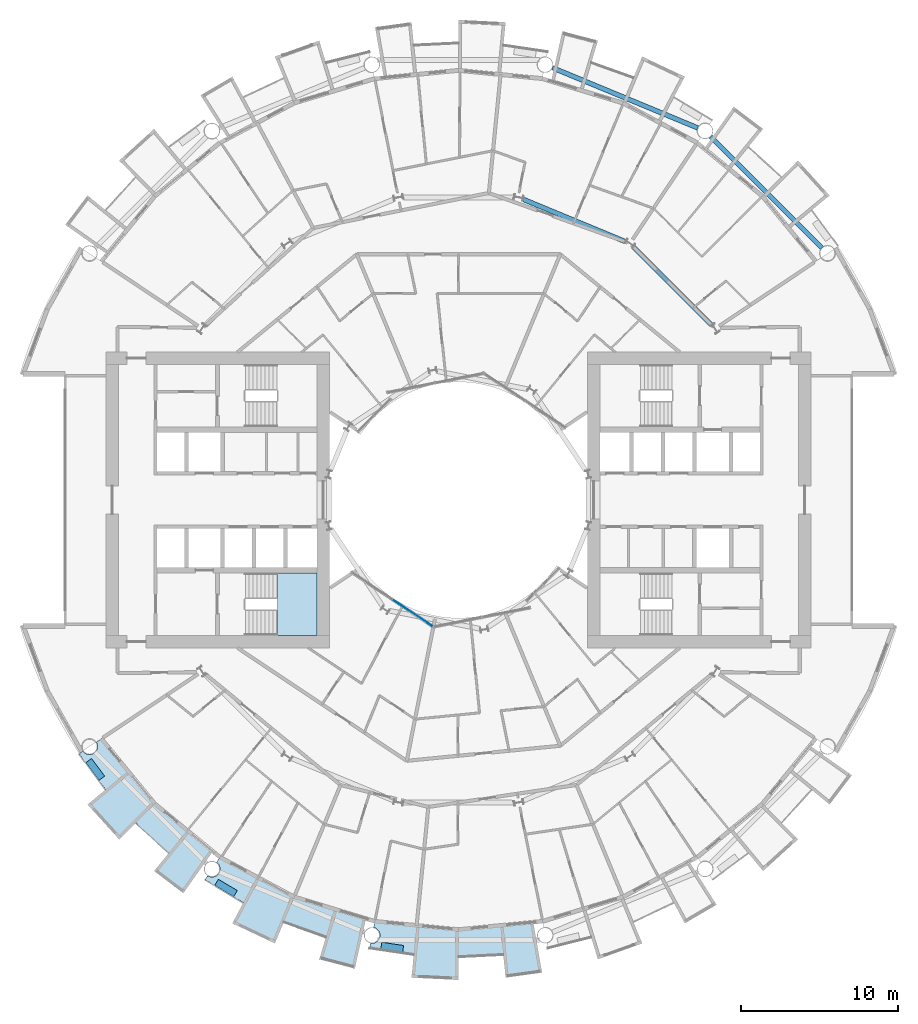
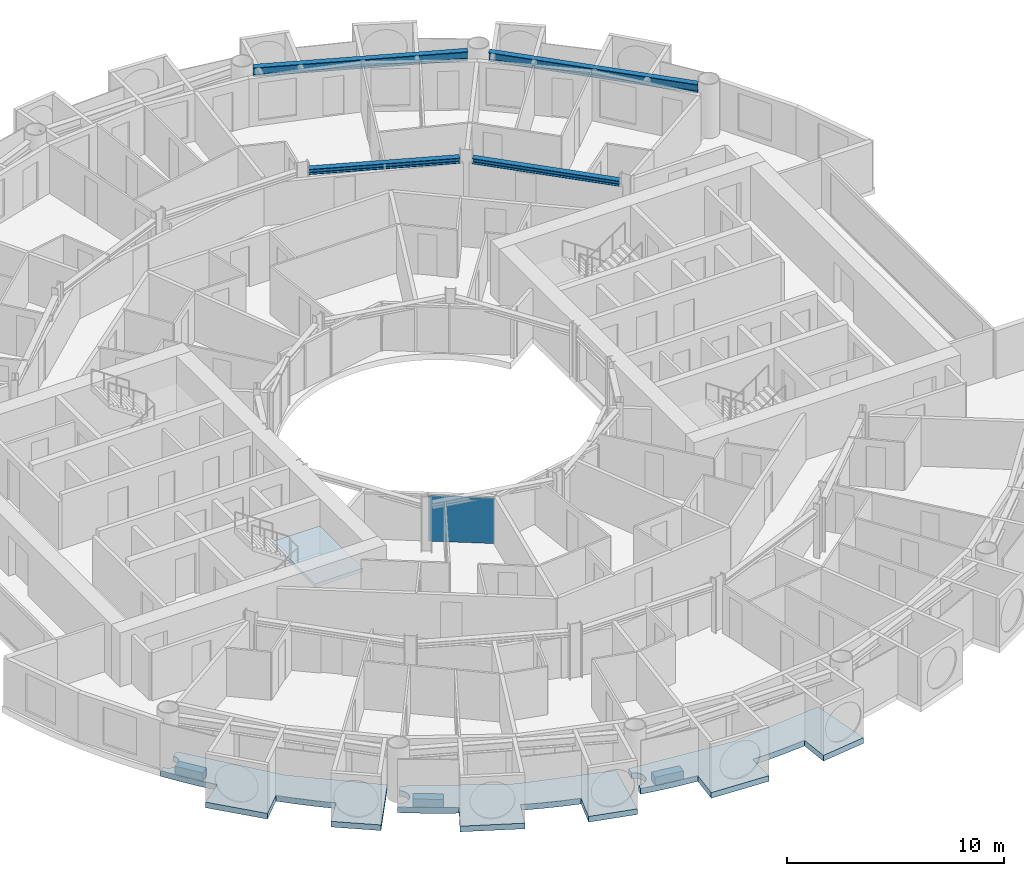
# One storey, part 9 of 26: 7 slabs, 4 beams, 1 plate, 2 elements without a shape of their own.
"""IFC4 building model written with IfcOpenShell, lengths in metres."""

from ifc_helpers import new_model, si_unit, direction, frame, origin, origin_2d, place, context, subcontext, project, spatial, polyline, rectangle, i_section, outline, extrude, material, layer, layer_set, material_profile, profile_set, type_object, element, aggregate, save


model = new_model("IFC4")

# Units and contexts
model_context = context("Model", 3, precision=1e-05, world=origin(), true_north=direction((0.0, 1.0)))
body_context = subcontext(model_context, "Body", "Model", "MODEL_VIEW")
ifc_project = project(units=[si_unit("LENGTHUNIT", "METRE"), si_unit("AREAUNIT", "SQUARE_METRE"), si_unit("VOLUMEUNIT", "CUBIC_METRE"), si_unit("PLANEANGLEUNIT", "RADIAN"), si_unit("MASSUNIT", "GRAM", prefix="KILO")], contexts=[model_context])

# Site, building, storey
site_placement = place(None, origin())
site = spatial("IfcSite", under=ifc_project, at=site_placement, CompositionType="ELEMENT")
building_placement = place(site_placement, origin())
building = spatial("IfcBuilding", under=site, at=building_placement, Name="Maasbend Ring Residences", CompositionType="ELEMENT")
storey_placement = place(building_placement, frame((0.0, 0.0, 38.050048828125)))
storey = spatial("IfcBuildingStorey", under=building, at=storey_placement, Name="L10", CompositionType="ELEMENT", Elevation=38.050048828125)

# Beams
ifc_material_1 = material(Name="Steel S355J2", Category="steel")
ifc_material_profile_1 = material_profile(ifc_material_1, i_section(OverallWidth=0.300048828125, OverallDepth=0.300048828125, WebThickness=0.010986328125, FlangeThickness=0.01904296875, FilletRadius=0.027099609375, at=origin_2d()), Name="HEB 300")
ifc_profile_set_1 = profile_set([ifc_material_profile_1], Name="Steel S355J2")
beam_type_1 = type_object("IfcBeamType", Name="Corridor ring beam HEB 300", PredefinedType="BEAM", material=ifc_profile_set_1)
beam_1_placement = place(storey_placement, frame((16.0732421875, 11.11279296875, 2.550048828125), z_axis=(-0.707106781187, 0.707106781187, 0.0), x_axis=(-0.707106781187, -0.707106781187, 0.0)))
element("IfcBeam", 1, at=beam_1_placement, inside=storey, type_object=beam_type_1, Name="Corridor ring beam", PredefinedType="BEAM", context=body_context, shape_type="SweptSolid", body=[
    extrude(i_section(OverallWidth=0.300048828125, OverallDepth=0.300048828125, WebThickness=0.010986328125, FlangeThickness=0.01904296875, FilletRadius=0.027099609375, at=origin_2d()), origin(), (0.0, 0.0, 1.0), 7.01513671875),
])
beam_2_placement = place(storey_placement, frame((10.59716796875, 16.417724609375, 2.550048828125), z_axis=(-0.923886196809, 0.38266734293, 0.0), x_axis=(-0.38266734293, -0.923886196809, 0.0)))
element("IfcBeam", 2, at=beam_2_placement, inside=storey, type_object=beam_type_1, Name="Corridor ring beam", PredefinedType="BEAM", context=body_context, shape_type="SweptSolid", body=[
    extrude(i_section(OverallWidth=0.300048828125, OverallDepth=0.300048828125, WebThickness=0.010986328125, FlangeThickness=0.01904296875, FilletRadius=0.027099609375, at=origin_2d()), origin(), (0.0, 0.0, 1.0), 7.015380859375),
])
ifc_material_2 = material(Name="Steel S355J2", Category="steel")
ifc_material_profile_2 = material_profile(ifc_material_2, i_section(OverallWidth=0.300048828125, OverallDepth=0.5, WebThickness=0.014404296875, FlangeThickness=0.028076171875, FilletRadius=0.027099609375, at=origin_2d()), Name="HEB 500")
ifc_profile_set_2 = profile_set([ifc_material_profile_2], Name="Steel S355J2")
beam_type_2 = type_object("IfcBeamType", Name="Spandrel ring beam HEB 500", PredefinedType="SPANDREL", material=ifc_profile_set_2)
beam_3_placement = place(storey_placement, frame((23.088134765625, 16.0263671875, 2.449951171875), z_axis=(-0.707106781187, 0.707106781187, 0.0), x_axis=(-0.707106781187, -0.707106781187, 0.0)))
element("IfcBeam", 3, at=beam_3_placement, inside=storey, type_object=beam_type_2, Name="Spandrel ring beam", PredefinedType="SPANDREL", context=body_context, shape_type="SweptSolid", body=[
    extrude(i_section(OverallWidth=0.300048828125, OverallDepth=0.5, WebThickness=0.014404296875, FlangeThickness=0.028076171875, FilletRadius=0.027099609375, at=origin_2d()), origin(), (0.0, 0.0, 1.0), 9.98681640625),
])
beam_4_placement = place(storey_placement, frame((15.19775390625, 23.641845703125, 2.449951171875), z_axis=(-0.923886337442, 0.382667003395, 0.0), x_axis=(-0.382667003395, -0.923886337442, 0.0)))
element("IfcBeam", 4, at=beam_4_placement, inside=storey, type_object=beam_type_2, Name="Spandrel ring beam", PredefinedType="SPANDREL", context=body_context, shape_type="SweptSolid", body=[
    extrude(i_section(OverallWidth=0.300048828125, OverallDepth=0.5, WebThickness=0.014404296875, FlangeThickness=0.028076171875, FilletRadius=0.027099609375, at=origin_2d()), origin(), (0.0, 0.0, 1.0), 9.9873046875),
])

# Stair, slab
ifc_material_3 = material(Name="Concrete C40/50", Category="concrete")
stair_type = type_object("IfcStairType", Name="CORE STAIR 18 RISERS", PredefinedType="HALF_TURN_STAIR", material=ifc_material_3)
stair_placement = place(storey_placement, origin())
stair = element("IfcStair", 5, at=stair_placement, inside=storey, type_object=stair_type, Name="L10 Exit stair ST-W1", PredefinedType="HALF_TURN_STAIR")
ifc_material_4 = material(Name="Concrete C40/50", Category="concrete")
ifc_layer_1 = layer(ifc_material_4, 0.199951171875)
ifc_layer_set_1 = layer_set([ifc_layer_1], Name="Concrete C40/50")
slab_type_1 = type_object("IfcSlabType", Name="CORE STAIR LANDING 200", PredefinedType="LANDING", material=ifc_layer_set_1)
slab_1_placement = place(storey_placement, frame((0.0, 0.0, 1.324951171875)))
slab_1 = element("IfcSlab", 6, at=slab_1_placement, type_object=slab_type_1, Name="ST-W1 landing 1", PredefinedType="LANDING", context=body_context, shape_type="SweptSolid", body=[
    extrude(outline(polyline([(-11.550048828125, -8.60009765625), (-9.0, -8.60009765625), (-9.0, -4.64990234375), (-11.550048828125, -4.64990234375), (-11.550048828125, -8.60009765625)])), origin(), (0.0, 0.0, 1.0), 0.199951171875),
])
aggregate(stair, [slab_1])

# Curtain wall, plate
ifc_material_5 = material(Name="Aluminium and clear glass", Category="aluminium")
ifc_layer_2 = layer(ifc_material_5, 0.179931640625)
ifc_layer_set_2 = layer_set([ifc_layer_2], Name="CW-W")
curtain_wall_type = type_object("IfcCurtainWallType", Name="CW-W", PredefinedType="NOTDEFINED", material=ifc_layer_set_2)
curtain_wall_placement = place(storey_placement, origin())
curtain_wall = element("IfcCurtainWall", 7, at=curtain_wall_placement, inside=storey, type_object=curtain_wall_type, Name="Well curtain wall S1", PredefinedType="NOTDEFINED")
ifc_material_6 = material(Name="Glass clear laminated", Category="glass")
ifc_layer_3 = layer(ifc_material_6, 0.031982421875)
ifc_layer_set_3 = layer_set([ifc_layer_3], Name="CWP-W")
plate_type = type_object("IfcPlateType", Name="CWP-W", PredefinedType="CURTAIN_PANEL", material=ifc_layer_set_3)
plate_placement = place(storey_placement, frame((-2.922119140625, -7.17578125, 0.0), z_axis=(0.0, 0.0, 1.0), x_axis=(0.831469612303, -0.55557023302, 0.0)))
plate = element("IfcPlate", 8, at=plate_placement, type_object=plate_type, Name="Glass panel well face", PredefinedType="CURTAIN_PANEL", context=body_context, shape_type="SweptSolid", body=[
    extrude(rectangle(XDim=3.053955078125, YDim=0.031982421875, at=origin_2d()), origin(), (0.0, 0.0, 1.0), 2.580078125),
])
aggregate(curtain_wall, [plate])

# Slabs
ifc_material_7 = material(Name="Planting with climbing greenery")
ifc_layer_4 = layer(ifc_material_7, 0.449951171875)
ifc_layer_set_4 = layer_set([ifc_layer_4], Name="PLANTER-LG")
slab_type_2 = type_object("IfcSlabType", Name="PLANTER-LG", PredefinedType="USERDEFINED", material=ifc_layer_set_4)
slab_2_placement = place(storey_placement, frame((0.0, 0.0, -0.030029296875)))
element("IfcSlab", 9, at=slab_2_placement, inside=storey, type_object=slab_type_2, Name="Planter with climbing greenery 1", ObjectType="PLANTER", PredefinedType="USERDEFINED", context=body_context, shape_type="SweptSolid", body=[
    extrude(outline(polyline([(-23.681884765625, -16.69189453125), (-22.847900390625, -17.81689453125), (-22.487060546875, -17.549072265625), (-23.321044921875, -16.424072265625), (-23.681884765625, -16.69189453125)])), origin(), (0.0, 0.0, 1.0), 0.449951171875),
])
slab_3_placement = place(storey_placement, frame((0.0, 0.0, -0.030029296875)))
element("IfcSlab", 10, at=slab_3_placement, inside=storey, type_object=slab_type_2, Name="Planter with climbing greenery 2", ObjectType="PLANTER", PredefinedType="USERDEFINED", context=body_context, shape_type="SweptSolid", body=[
    extrude(outline(polyline([(-15.490966796875, -24.48388671875), (-14.291015625, -25.2041015625), (-14.05908203125, -24.818115234375), (-15.260009765625, -24.097900390625), (-15.490966796875, -24.48388671875)])), origin(), (0.0, 0.0, 1.0), 0.449951171875),
])
slab_4_placement = place(storey_placement, frame((0.0, 0.0, -0.030029296875)))
element("IfcSlab", 11, at=slab_4_placement, inside=storey, type_object=slab_type_2, Name="Planter with climbing greenery 3", ObjectType="PLANTER", PredefinedType="USERDEFINED", context=body_context, shape_type="SweptSolid", body=[
    extrude(outline(polyline([(-4.94189453125, -28.549072265625), (-3.55810546875, -28.75390625), (-3.491943359375, -28.30908203125), (-4.8759765625, -28.10400390625), (-4.94189453125, -28.549072265625)])), origin(), (0.0, 0.0, 1.0), 0.449951171875),
])
ifc_material_8 = material(Name="Concrete C40/50", Category="concrete")
ifc_layer_5 = layer(ifc_material_8, 0.199951171875)
ifc_layer_set_5 = layer_set([ifc_layer_5], Name="Concrete C40/50")
slab_type_3 = type_object("IfcSlabType", Name="SL-LOGGIA", PredefinedType="FLOOR", material=ifc_layer_set_5)
slab_5_placement = place(storey_placement, frame((0.0, 0.0, -0.35009765625)))
element("IfcSlab", 12, at=slab_5_placement, inside=storey, type_object=slab_type_3, Name="Loggia floor 1", PredefinedType="FLOOR", context=body_context, shape_type="SweptSolid", body=[
    extrude(outline(polyline([(-15.9169921875, -23.888916015625), (-15.906982421875, -23.89501953125), (-15.89599609375, -23.90087890625), (-15.884033203125, -23.906982421875), (-15.873046875, -23.912109375), (-15.862060546875, -23.9169921875), (-15.85009765625, -23.9208984375), (-15.837890625, -23.926025390625), (-15.825927734375, -23.929931640625), (-15.81494140625, -23.93408203125), (-15.802978515625, -23.93701171875), (-15.791015625, -23.93994140625), (-15.778076171875, -23.943115234375), (-15.76611328125, -23.946044921875), (-15.75390625, -23.947998046875), (-15.741943359375, -23.949951171875), (-15.72900390625, -23.951904296875), (-15.717041015625, -23.952880859375), (-15.7041015625, -23.9541015625), (-15.69189453125, -23.955078125), (-15.679931640625, -23.955078125), (-15.6669921875, -23.955078125), (-15.655029296875, -23.955078125), (-15.64208984375, -23.955078125), (-15.6298828125, -23.9541015625), (-15.616943359375, -23.952880859375), (-15.60498046875, -23.951904296875), (-15.593017578125, -23.949951171875), (-15.580078125, -23.947998046875), (-15.568115234375, -23.946044921875), (-15.555908203125, -23.943115234375), (-15.5439453125, -23.93994140625), (-15.531982421875, -23.93701171875), (-15.52001953125, -23.93408203125), (-15.508056640625, -23.929931640625), (-15.49609375, -23.926025390625), (-15.48388671875, -23.9208984375), (-15.472900390625, -23.9169921875), (-15.4609375, -23.912109375), (-15.449951171875, -23.906982421875), (-15.43896484375, -23.90087890625), (-15.427978515625, -23.89501953125), (-15.4169921875, -23.888916015625), (-15.406005859375, -23.883056640625), (-15.39501953125, -23.876953125), (-15.385009765625, -23.8701171875), (-15.375, -23.863037109375), (-15.364013671875, -23.85498046875), (-15.35498046875, -23.847900390625), (-15.344970703125, -23.840087890625), (-15.3349609375, -23.83203125), (-15.325927734375, -23.823974609375), (-15.31689453125, -23.81494140625), (-15.30810546875, -23.806884765625), (-15.299072265625, -23.798095703125), (-15.291015625, -23.7890625), (-15.281982421875, -23.779052734375), (-15.27392578125, -23.77001953125), (-15.26708984375, -23.760009765625), (-15.259033203125, -23.75), (-15.251953125, -23.739990234375), (-15.2451171875, -23.72998046875), (-15.238037109375, -23.718994140625), (-15.23095703125, -23.708984375), (-15.22509765625, -23.697998046875), (-15.218994140625, -23.68701171875), (-15.212890625, -23.676025390625), (-15.2080078125, -23.6650390625), (-15.202880859375, -23.653076171875), (-15.197998046875, -23.64208984375), (-15.193115234375, -23.6298828125), (-15.18896484375, -23.618896484375), (-15.18505859375, -23.60693359375), (-15.180908203125, -23.594970703125), (-15.177978515625, -23.5830078125), (-15.174072265625, -23.571044921875), (-15.1708984375, -23.55908203125), (-15.1689453125, -23.547119140625), (-15.1669921875, -23.533935546875), (-15.1650390625, -23.52197265625), (-15.1630859375, -23.510009765625), (-15.162109375, -23.4970703125), (-15.159912109375, -23.485107421875), (-15.159912109375, -23.471923828125), (-15.158935546875, -23.4599609375), (-15.158935546875, -23.447021484375), (-15.158935546875, -23.43505859375), (-15.159912109375, -23.422119140625), (-15.159912109375, -23.409912109375), (-15.162109375, -23.39794921875), (-15.1630859375, -23.385009765625), (-15.1650390625, -23.373046875), (-15.1669921875, -23.361083984375), (-15.1689453125, -23.347900390625), (-15.1708984375, -23.3359375), (-15.174072265625, -23.323974609375), (-15.177978515625, -23.31201171875), (-15.180908203125, -23.300048828125), (-15.18505859375, -23.2880859375), (-15.18896484375, -23.27587890625), (-15.193115234375, -23.264892578125), (-15.197998046875, -23.2529296875), (-15.202880859375, -23.241943359375), (-15.2080078125, -23.22998046875), (-15.212890625, -23.218994140625), (-15.218994140625, -23.2080078125), (-15.22509765625, -23.197021484375), (-15.23095703125, -23.18603515625), (-15.238037109375, -23.176025390625), (-15.2451171875, -23.1650390625), (-15.251953125, -23.155029296875), (-15.259033203125, -23.14501953125), (-15.26708984375, -23.135009765625), (-15.27392578125, -23.125), (-15.281982421875, -23.115966796875), (-15.291015625, -23.10595703125), (-15.299072265625, -23.096923828125), (-15.30810546875, -23.087890625), (-15.31689453125, -23.0791015625), (-15.325927734375, -23.071044921875), (-15.3349609375, -23.06298828125), (-15.344970703125, -23.054931640625), (-15.35498046875, -23.047119140625), (-15.364013671875, -23.0390625), (-15.375, -23.031982421875), (-15.385009765625, -23.02490234375), (-15.1669921875, -22.698974609375), (-15.1669921875, -22.698974609375), (-15.1669921875, -22.698974609375), (-12.806884765625, -23.9609375), (-10.447021484375, -25.221923828125), (-10.447021484375, -25.221923828125), (-10.447021484375, -25.221923828125), (-7.886962890625, -25.9990234375), (-5.89111328125, -26.60400390625), (-5.89111328125, -26.60400390625), (-5.89111328125, -26.60400390625), (-6.593994140625, -29.779052734375), (-6.593994140625, -29.779052734375), (-6.593994140625, -29.779052734375), (-8.85400390625, -29.18701171875), (-8.85400390625, -29.18701171875), (-8.85400390625, -29.18701171875), (-8.41796875, -27.751953125), (-8.41796875, -27.751953125), (-8.41796875, -27.751953125), (-8.41796875, -27.751953125), (-8.41796875, -27.751953125), (-8.41796875, -27.751953125), (-8.41796875, -27.7509765625), (-8.41796875, -27.7509765625), (-8.41796875, -27.7509765625), (-8.41796875, -27.7509765625), (-8.41796875, -27.7509765625), (-8.4189453125, -27.7509765625), (-8.4189453125, -27.7509765625), (-8.4189453125, -27.7509765625), (-8.4189453125, -27.7509765625), (-8.4189453125, -27.7509765625), (-8.4189453125, -27.7509765625), (-9.322021484375, -27.4609375), (-9.322021484375, -27.4609375), (-10.215087890625, -27.14111328125), (-10.215087890625, -27.14111328125), (-11.096923828125, -26.79296875), (-11.096923828125, -26.79296875), (-11.096923828125, -26.79296875), (-11.097900390625, -26.79296875), (-11.097900390625, -26.79296875), (-11.097900390625, -26.79296875), (-11.097900390625, -26.79296875), (-11.097900390625, -26.79296875), (-11.097900390625, -26.79296875), (-11.097900390625, -26.79296875), (-11.097900390625, -26.79296875), (-11.097900390625, -26.79296875), (-11.097900390625, -26.79296875), (-11.097900390625, -26.79296875), (-11.097900390625, -26.79296875), (-11.097900390625, -26.79296875), (-11.097900390625, -26.79296875), (-11.672119140625, -28.177978515625), (-11.672119140625, -28.177978515625), (-11.672119140625, -28.177978515625), (-14.3779296875, -26.89892578125), (-14.3779296875, -26.89892578125), (-14.3779296875, -26.89892578125), (-13.6708984375, -25.575927734375), (-13.6708984375, -25.575927734375), (-13.6708984375, -25.575927734375), (-13.6708984375, -25.575927734375), (-13.6708984375, -25.575927734375), (-13.6708984375, -25.575927734375), (-13.6708984375, -25.575927734375), (-13.6708984375, -25.575927734375), (-13.6708984375, -25.575927734375), (-13.6708984375, -25.575927734375), (-13.6708984375, -25.575927734375), (-13.6708984375, -25.575927734375), (-13.6708984375, -25.575927734375), (-13.6708984375, -25.575927734375), (-13.6708984375, -25.575927734375), (-13.6708984375, -25.575927734375), (-13.6708984375, -25.574951171875), (-14.5, -25.114990234375), (-14.5, -25.114990234375), (-15.31396484375, -24.626953125), (-15.31396484375, -24.626953125), (-16.112060546875, -24.113037109375), (-16.112060546875, -24.113037109375), (-16.112060546875, -24.113037109375), (-15.948974609375, -23.8701171875), (-15.93896484375, -23.876953125), (-15.927978515625, -23.883056640625), (-15.9169921875, -23.888916015625)])), origin(), (0.0, 0.0, 1.0), 0.320068359375),
])
slab_6_placement = place(storey_placement, frame((0.0, 0.0, -0.35009765625)))
element("IfcSlab", 13, at=slab_6_placement, inside=storey, type_object=slab_type_3, Name="Loggia floor 3", PredefinedType="FLOOR", context=body_context, shape_type="SweptSolid", body=[
    extrude(outline(polyline([(-2.6630859375, -27.0380859375), (0.0, -27.300048828125), (0.0, -27.300048828125), (0.0, -27.300048828125), (2.6630859375, -27.0380859375), (4.739013671875, -26.8330078125), (4.739013671875, -26.8330078125), (4.739013671875, -26.8330078125), (5.303955078125, -30.034912109375), (5.303955078125, -30.034912109375), (5.303955078125, -30.034912109375), (2.989990234375, -30.35302734375), (2.989990234375, -30.35302734375), (2.989990234375, -30.35302734375), (2.843017578125, -28.861083984375), (2.843017578125, -28.861083984375), (2.843017578125, -28.861083984375), (2.843017578125, -28.861083984375), (2.842041015625, -28.861083984375), (2.842041015625, -28.861083984375), (2.842041015625, -28.861083984375), (2.842041015625, -28.861083984375), (2.842041015625, -28.861083984375), (2.842041015625, -28.860107421875), (2.842041015625, -28.860107421875), (2.842041015625, -28.860107421875), (2.842041015625, -28.860107421875), (2.842041015625, -28.860107421875), (2.842041015625, -28.860107421875), (2.842041015625, -28.860107421875), (2.842041015625, -28.860107421875), (1.89697265625, -28.93798828125), (1.89697265625, -28.93798828125), (0.948974609375, -28.98388671875), (0.948974609375, -28.98388671875), (0.0, -29.0), (0.0, -29.0), (0.0, -29.0), (0.0, -29.0), (0.0, -29.0), (0.0, -29.0), (0.0, -29.0), (0.0, -29.0), (0.0, -29.0), (0.0, -29.0), (0.0, -29.0), (0.0, -29.0), (0.0, -29.0), (0.0, -29.0), (0.0, -29.0), (0.0, -29.0), (0.0, -29.0), (0.0, -30.5), (0.0, -30.5), (0.0, -30.5), (-2.989990234375, -30.35302734375), (-2.989990234375, -30.35302734375), (-2.989990234375, -30.35302734375), (-2.843017578125, -28.861083984375), (-2.843017578125, -28.861083984375), (-2.843017578125, -28.861083984375), (-2.843017578125, -28.861083984375), (-2.843017578125, -28.861083984375), (-2.843017578125, -28.861083984375), (-2.843017578125, -28.861083984375), (-2.843017578125, -28.861083984375), (-2.843017578125, -28.860107421875), (-2.843017578125, -28.860107421875), (-2.843017578125, -28.860107421875), (-2.843017578125, -28.860107421875), (-2.843017578125, -28.860107421875), (-2.843017578125, -28.860107421875), (-2.843017578125, -28.860107421875), (-2.843017578125, -28.860107421875), (-2.843017578125, -28.860107421875), (-3.784912109375, -28.751953125), (-3.784912109375, -28.751953125), (-4.72412109375, -28.613037109375), (-4.72412109375, -28.613037109375), (-5.657958984375, -28.443115234375), (-5.657958984375, -28.443115234375), (-5.657958984375, -28.443115234375), (-5.60107421875, -28.156005859375), (-5.60107421875, -28.156005859375), (-5.587890625, -28.158935546875), (-5.575927734375, -28.160888671875), (-5.56396484375, -28.162109375), (-5.551025390625, -28.1640625), (-5.5390625, -28.1650390625), (-5.52587890625, -28.1650390625), (-5.513916015625, -28.166015625), (-5.501953125, -28.166015625), (-5.489013671875, -28.166015625), (-5.47705078125, -28.1650390625), (-5.464111328125, -28.1650390625), (-5.451904296875, -28.1640625), (-5.43896484375, -28.162109375), (-5.427001953125, -28.160888671875), (-5.4150390625, -28.158935546875), (-5.402099609375, -28.156005859375), (-5.389892578125, -28.154052734375), (-5.3779296875, -28.15087890625), (-5.365966796875, -28.14794921875), (-5.35400390625, -28.14404296875), (-5.342041015625, -28.139892578125), (-5.330078125, -28.135986328125), (-5.319091796875, -28.132080078125), (-5.306884765625, -28.126953125), (-5.2958984375, -28.123046875), (-5.283935546875, -28.116943359375), (-5.27294921875, -28.112060546875), (-5.261962890625, -28.10595703125), (-5.2509765625, -28.10009765625), (-5.239990234375, -28.093994140625), (-5.22998046875, -28.0869140625), (-5.218994140625, -28.080078125), (-5.208984375, -28.072998046875), (-5.198974609375, -28.06591796875), (-5.18896484375, -28.05908203125), (-5.178955078125, -28.051025390625), (-5.169921875, -28.04296875), (-5.159912109375, -28.034912109375), (-5.15087890625, -28.02587890625), (-5.14208984375, -28.01708984375), (-5.134033203125, -28.008056640625), (-5.125, -27.9990234375), (-5.116943359375, -27.989990234375), (-5.10888671875, -27.97998046875), (-5.10107421875, -27.970947265625), (-5.093017578125, -27.9609375), (-5.0859375, -27.950927734375), (-5.0791015625, -27.93994140625), (-5.072021484375, -27.929931640625), (-5.06591796875, -27.9189453125), (-5.05908203125, -27.907958984375), (-5.052978515625, -27.89794921875), (-5.048095703125, -27.886962890625), (-5.0419921875, -27.875), (-5.037109375, -27.864013671875), (-5.031982421875, -27.85302734375), (-5.028076171875, -27.841064453125), (-5.02294921875, -27.8291015625), (-5.01904296875, -27.81689453125), (-5.014892578125, -27.805908203125), (-5.011962890625, -27.7939453125), (-5.009033203125, -27.781982421875), (-5.006103515625, -27.76904296875), (-5.0029296875, -27.757080078125), (-5.0009765625, -27.7451171875), (-4.9990234375, -27.73291015625), (-4.9970703125, -27.719970703125), (-4.99609375, -27.7080078125), (-4.9951171875, -27.695068359375), (-4.993896484375, -27.68310546875), (-4.993896484375, -27.6708984375), (-4.993896484375, -27.657958984375), (-4.993896484375, -27.64599609375), (-4.993896484375, -27.633056640625), (-4.9951171875, -27.62109375), (-4.99609375, -27.60791015625), (-4.9970703125, -27.595947265625), (-4.9990234375, -27.583984375), (-5.0009765625, -27.571044921875), (-5.0029296875, -27.55908203125), (-5.006103515625, -27.547119140625), (-5.009033203125, -27.534912109375), (-5.011962890625, -27.52294921875), (-5.014892578125, -27.510986328125), (-5.01904296875, -27.4990234375), (-5.02294921875, -27.487060546875), (-5.028076171875, -27.47509765625), (-5.031982421875, -27.464111328125), (-5.037109375, -27.451904296875), (-5.0419921875, -27.44091796875), (-5.048095703125, -27.429931640625), (-5.052978515625, -27.4189453125), (-5.05908203125, -27.407958984375), (-5.06591796875, -27.39697265625), (-5.072021484375, -27.385986328125), (-5.0791015625, -27.3759765625), (-5.0859375, -27.365966796875), (-5.093017578125, -27.35498046875), (-5.10107421875, -27.345947265625), (-5.10888671875, -27.3359375), (-5.116943359375, -27.325927734375), (-5.125, -27.31689453125), (-5.134033203125, -27.30810546875), (-5.14208984375, -27.299072265625), (-5.15087890625, -27.2900390625), (-5.159912109375, -27.281982421875), (-5.169921875, -27.27294921875), (-5.178955078125, -27.264892578125), (-5.18896484375, -27.258056640625), (-5.198974609375, -27.25), (-5.208984375, -27.242919921875), (-5.218994140625, -27.236083984375), (-5.22998046875, -27.22900390625), (-5.239990234375, -27.221923828125), (-5.2509765625, -27.216064453125), (-5.261962890625, -27.2099609375), (-5.27294921875, -27.2041015625), (-5.283935546875, -27.198974609375), (-5.2958984375, -27.194091796875), (-5.306884765625, -27.18896484375), (-5.319091796875, -27.18408203125), (-5.330078125, -27.179931640625), (-5.342041015625, -27.176025390625), (-5.35400390625, -27.172119140625), (-5.365966796875, -27.1689453125), (-5.3779296875, -27.1650390625), (-5.389892578125, -27.162109375), (-5.402099609375, -27.159912109375), (-5.402099609375, -27.159912109375), (-5.325927734375, -26.77490234375), (-5.325927734375, -26.77490234375), (-5.325927734375, -26.77490234375), (-2.6630859375, -27.0380859375)])), origin(), (0.0, 0.0, 1.0), 0.320068359375),
])
slab_7_placement = place(storey_placement, frame((0.0, 0.0, -0.35009765625)))
element("IfcSlab", 14, at=slab_7_placement, inside=storey, type_object=slab_type_3, Name="Loggia floor 4", PredefinedType="FLOOR", context=body_context, shape_type="SweptSolid", body=[
    extrude(outline(polyline([(-23.85498046875, -15.969970703125), (-23.847900390625, -15.97998046875), (-23.840087890625, -15.989013671875), (-23.83203125, -15.9990234375), (-23.823974609375, -16.008056640625), (-23.81494140625, -16.01708984375), (-23.806884765625, -16.02587890625), (-23.798095703125, -16.034912109375), (-23.7890625, -16.0439453125), (-23.779052734375, -16.052001953125), (-23.77001953125, -16.06005859375), (-23.760009765625, -16.068115234375), (-23.75, -16.074951171875), (-23.739990234375, -16.08203125), (-23.72998046875, -16.089111328125), (-23.718994140625, -16.095947265625), (-23.708984375, -16.10302734375), (-23.697998046875, -16.10888671875), (-23.68701171875, -16.114990234375), (-23.676025390625, -16.12109375), (-23.6650390625, -16.1259765625), (-23.653076171875, -16.132080078125), (-23.64208984375, -16.135986328125), (-23.6298828125, -16.14111328125), (-23.618896484375, -16.14501953125), (-23.60693359375, -16.14892578125), (-23.594970703125, -16.153076171875), (-23.5830078125, -16.156982421875), (-23.571044921875, -16.159912109375), (-23.55908203125, -16.1630859375), (-23.547119140625, -16.1650390625), (-23.533935546875, -16.16796875), (-23.52197265625, -16.169921875), (-23.510009765625, -16.1708984375), (-23.4970703125, -16.173095703125), (-23.485107421875, -16.174072265625), (-23.471923828125, -16.174072265625), (-23.4599609375, -16.175048828125), (-23.447021484375, -16.175048828125), (-23.43505859375, -16.175048828125), (-23.422119140625, -16.174072265625), (-23.409912109375, -16.174072265625), (-23.39794921875, -16.173095703125), (-23.385009765625, -16.1708984375), (-23.373046875, -16.169921875), (-23.361083984375, -16.16796875), (-23.347900390625, -16.1650390625), (-23.3359375, -16.1630859375), (-23.323974609375, -16.159912109375), (-23.31201171875, -16.156982421875), (-23.300048828125, -16.153076171875), (-23.2880859375, -16.14892578125), (-23.27587890625, -16.14501953125), (-23.264892578125, -16.14111328125), (-23.2529296875, -16.135986328125), (-23.241943359375, -16.132080078125), (-23.22998046875, -16.1259765625), (-23.218994140625, -16.12109375), (-23.2080078125, -16.114990234375), (-23.197021484375, -16.10888671875), (-23.18603515625, -16.10302734375), (-23.176025390625, -16.095947265625), (-23.1650390625, -16.089111328125), (-23.155029296875, -16.08203125), (-23.14501953125, -16.074951171875), (-23.135009765625, -16.068115234375), (-23.125, -16.06005859375), (-23.115966796875, -16.052001953125), (-23.10595703125, -16.0439453125), (-23.096923828125, -16.034912109375), (-23.087890625, -16.02587890625), (-23.0791015625, -16.01708984375), (-23.071044921875, -16.008056640625), (-23.06298828125, -15.9990234375), (-23.054931640625, -15.989013671875), (-23.047119140625, -15.97998046875), (-23.0390625, -15.969970703125), (-23.031982421875, -15.9599609375), (-23.02490234375, -15.948974609375), (-23.01806640625, -15.93896484375), (-23.011962890625, -15.927978515625), (-23.0048828125, -15.9169921875), (-22.9990234375, -15.906982421875), (-22.993896484375, -15.89599609375), (-22.988037109375, -15.884033203125), (-22.98291015625, -15.873046875), (-22.97802734375, -15.862060546875), (-22.972900390625, -15.85009765625), (-22.968994140625, -15.837890625), (-22.965087890625, -15.825927734375), (-22.9609375, -15.81494140625), (-22.9580078125, -15.802978515625), (-22.955078125, -15.791015625), (-22.951904296875, -15.778076171875), (-22.948974609375, -15.76611328125), (-22.947021484375, -15.75390625), (-22.945068359375, -15.741943359375), (-22.943115234375, -15.72900390625), (-22.94189453125, -15.717041015625), (-22.94091796875, -15.7041015625), (-22.93994140625, -15.69189453125), (-22.93994140625, -15.679931640625), (-22.93896484375, -15.6669921875), (-22.93994140625, -15.655029296875), (-22.93994140625, -15.64208984375), (-22.94091796875, -15.6298828125), (-22.94189453125, -15.616943359375), (-22.943115234375, -15.60498046875), (-22.945068359375, -15.593017578125), (-22.947021484375, -15.580078125), (-22.948974609375, -15.568115234375), (-22.951904296875, -15.555908203125), (-22.955078125, -15.5439453125), (-22.9580078125, -15.531982421875), (-22.9609375, -15.52001953125), (-22.965087890625, -15.508056640625), (-22.968994140625, -15.49609375), (-22.972900390625, -15.48388671875), (-22.97802734375, -15.472900390625), (-22.98291015625, -15.4609375), (-22.988037109375, -15.449951171875), (-22.993896484375, -15.43896484375), (-22.9990234375, -15.427978515625), (-23.0048828125, -15.4169921875), (-23.011962890625, -15.406005859375), (-23.01806640625, -15.39501953125), (-23.02490234375, -15.385009765625), (-23.02490234375, -15.385009765625), (-22.698974609375, -15.1669921875), (-22.698974609375, -15.1669921875), (-22.698974609375, -15.1669921875), (-21.001953125, -17.236083984375), (-19.303955078125, -19.303955078125), (-19.303955078125, -19.303955078125), (-19.303955078125, -19.303955078125), (-17.236083984375, -21.001953125), (-15.623046875, -22.324951171875), (-15.623046875, -22.324951171875), (-15.623046875, -22.324951171875), (-17.488037109375, -24.989013671875), (-17.488037109375, -24.989013671875), (-17.488037109375, -24.989013671875), (-19.34912109375, -23.576904296875), (-19.34912109375, -23.576904296875), (-19.34912109375, -23.576904296875), (-18.39794921875, -22.41796875), (-18.39794921875, -22.41796875), (-18.39794921875, -22.41796875), (-18.39794921875, -22.41796875), (-18.39794921875, -22.41796875), (-18.39794921875, -22.4169921875), (-18.39794921875, -22.4169921875), (-18.39794921875, -22.4169921875), (-18.39794921875, -22.4169921875), (-18.39794921875, -22.4169921875), (-18.39794921875, -22.4169921875), (-18.39794921875, -22.4169921875), (-18.39794921875, -22.4169921875), (-18.39794921875, -22.4169921875), (-18.39794921875, -22.4169921875), (-18.39794921875, -22.4169921875), (-18.39794921875, -22.4169921875), (-19.12109375, -21.802978515625), (-19.12109375, -21.802978515625), (-19.823974609375, -21.166015625), (-19.823974609375, -21.166015625), (-20.506103515625, -20.506103515625), (-20.506103515625, -20.506103515625), (-20.506103515625, -20.506103515625), (-20.506103515625, -20.506103515625), (-20.506103515625, -20.506103515625), (-20.506103515625, -20.506103515625), (-20.506103515625, -20.506103515625), (-20.506103515625, -20.506103515625), (-20.506103515625, -20.506103515625), (-20.506103515625, -20.506103515625), (-20.506103515625, -20.506103515625), (-20.506103515625, -20.506103515625), (-20.506103515625, -20.506103515625), (-20.506103515625, -20.506103515625), (-20.506103515625, -20.506103515625), (-20.506103515625, -20.506103515625), (-20.506103515625, -20.506103515625), (-21.56689453125, -21.56689453125), (-21.56689453125, -21.56689453125), (-21.56689453125, -21.56689453125), (-23.576904296875, -19.34912109375), (-23.576904296875, -19.34912109375), (-23.576904296875, -19.34912109375), (-22.41796875, -18.39794921875), (-22.41796875, -18.39794921875), (-22.41796875, -18.39794921875), (-22.41796875, -18.39794921875), (-22.41796875, -18.39794921875), (-22.41796875, -18.39794921875), (-22.41796875, -18.39697265625), (-22.41796875, -18.39697265625), (-22.41796875, -18.39697265625), (-22.41796875, -18.39697265625), (-22.41796875, -18.39697265625), (-22.41796875, -18.39697265625), (-22.41796875, -18.39697265625), (-22.41796875, -18.39697265625), (-22.41796875, -18.39697265625), (-22.41796875, -18.39697265625), (-22.41796875, -18.39697265625), (-23.007080078125, -17.654052734375), (-23.007080078125, -17.654052734375), (-23.572998046875, -16.89208984375), (-23.572998046875, -16.89208984375), (-24.113037109375, -16.112060546875), (-24.113037109375, -16.112060546875), (-24.113037109375, -16.112060546875), (-23.8701171875, -15.948974609375), (-23.8701171875, -15.948974609375), (-23.863037109375, -15.9599609375), (-23.85498046875, -15.969970703125)])), origin(), (0.0, 0.0, 1.0), 0.320068359375),
])

save(model, "model.ifc")
